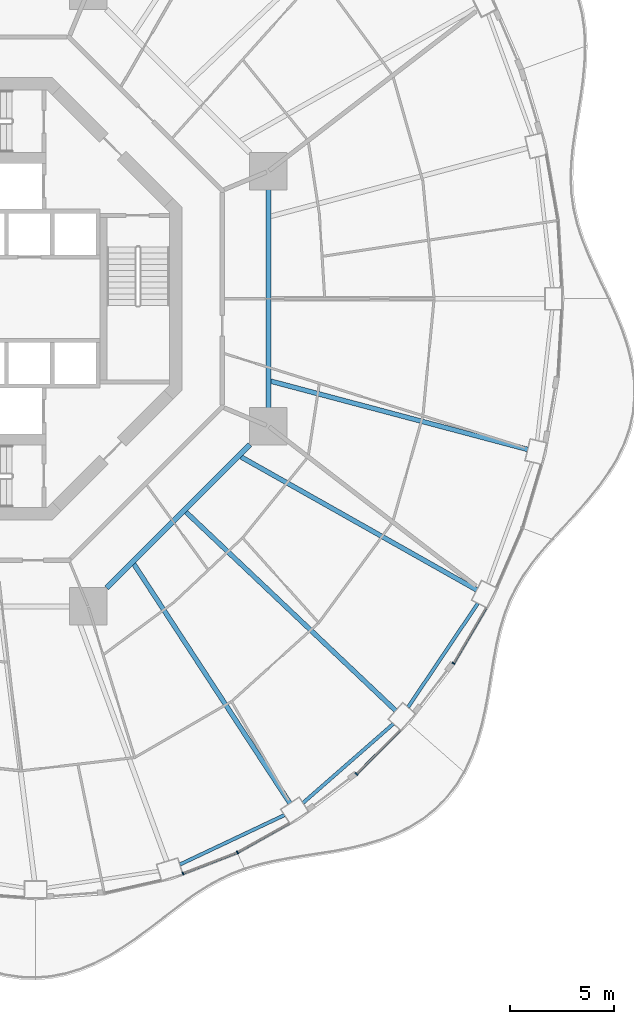
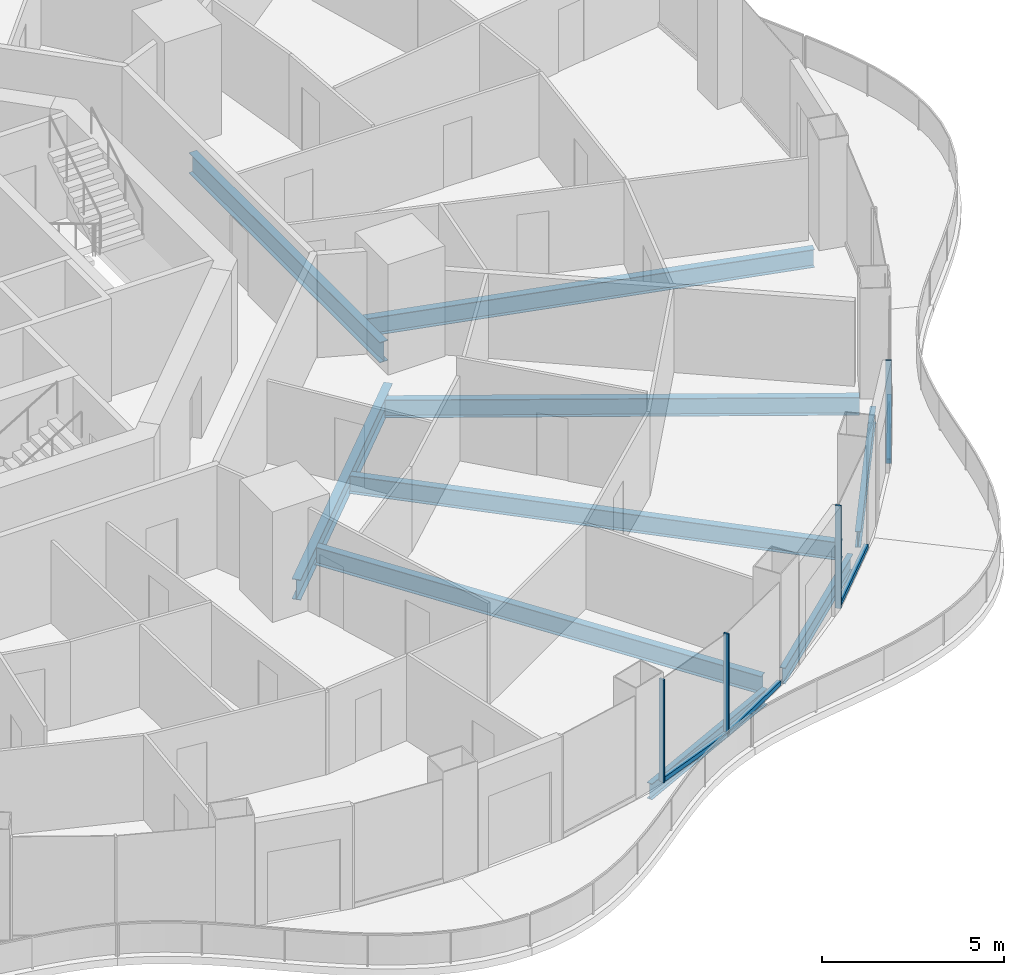
# One storey, part 4 of 19: 9 beams, 8 members, 4 elements without a shape of their own.
"""IFC4 building model written with IfcOpenShell, lengths in metres."""

from ifc_helpers import new_model, si_unit, direction, frame, origin, origin_2d, place, context, subcontext, project, spatial, rectangle, i_section, extrude, material, layer, layer_set, material_profile, profile_set, type_object, element, aggregate, save


model = new_model("IFC4")

# Units and contexts
model_context = context("Model", 3, precision=1e-05, world=origin(), true_north=direction((0.0, 1.0)))
body_context = subcontext(model_context, "Body", "Model", "MODEL_VIEW")
ifc_project = project(units=[si_unit("LENGTHUNIT", "METRE"), si_unit("AREAUNIT", "SQUARE_METRE"), si_unit("VOLUMEUNIT", "CUBIC_METRE"), si_unit("PLANEANGLEUNIT", "RADIAN"), si_unit("MASSUNIT", "GRAM", prefix="KILO")], contexts=[model_context])

# Site, building, storey
site_placement = place(None, origin())
site = spatial("IfcSite", under=ifc_project, at=site_placement, CompositionType="ELEMENT")
building_placement = place(site_placement, origin())
building = spatial("IfcBuilding", under=site, at=building_placement, Name="Nagisa Residences", CompositionType="ELEMENT")
storey_placement = place(building_placement, frame((0.0, 0.0, 177.0)))
storey = spatial("IfcBuildingStorey", under=building, at=storey_placement, Name="L44", CompositionType="ELEMENT", Elevation=177.0)

# Curtain wall, member
ifc_material_1 = material(Name="Concrete-coloured aluminium curtain wall system", Category="concrete")
ifc_layer = layer(ifc_material_1, 0.159912109375)
ifc_layer_set = layer_set([ifc_layer], Name="CW1 CURTAIN WALL")
curtain_wall_type = type_object("IfcCurtainWallType", Name="CW1 CURTAIN WALL", PredefinedType="NOTDEFINED", material=ifc_layer_set)
curtain_wall_1_placement = place(storey_placement, origin())
curtain_wall_1 = element("IfcCurtainWall", 1, at=curtain_wall_1_placement, inside=storey, type_object=curtain_wall_type, Name="cw:CW1:L44:38", PredefinedType="NOTDEFINED")
ifc_material_2 = material(Name="Concrete-coloured aluminium", Category="concrete")
ifc_material_profile_1 = material_profile(ifc_material_2, rectangle(XDim=0.159912109375, YDim=0.06005859375, at=origin_2d()), Name="CW1 MULLION 160x60")
ifc_profile_set_1 = profile_set([ifc_material_profile_1], Name="Concrete-coloured aluminium")
member_type_1 = type_object("IfcMemberType", Name="CW1 MULLION 160x60", PredefinedType="MULLION", material=ifc_profile_set_1)
member_1_placement = place(storey_placement, frame((10.6796875, -27.607421875, 0.0), z_axis=(0.0, 0.0, 1.0), x_axis=(-0.360327770268, 0.932825759707, 0.0)))
member_1 = element("IfcMember", 2, at=member_1_placement, type_object=member_type_1, Name="CW1 mullion", PredefinedType="MULLION", context=body_context, shape_type="SweptSolid", body=[
    extrude(rectangle(XDim=0.159912109375, YDim=0.06005859375, at=origin_2d()), origin(), (0.0, 0.0, 1.0), 3.43994140625),
])

curtain_wall_2_placement = place(storey_placement, origin())
curtain_wall_2 = element("IfcCurtainWall", 3, at=curtain_wall_2_placement, inside=storey, type_object=curtain_wall_type, Name="cw:CW1:L44:39", PredefinedType="NOTDEFINED")
member_2_placement = place(storey_placement, frame((13.297607421875, -26.592529296875, 0.0), z_axis=(0.0, 0.0, 1.0), x_axis=(-0.489376918501, 0.872072377523, 0.0)))
member_2 = element("IfcMember", 4, at=member_2_placement, type_object=member_type_1, Name="CW1 mullion", PredefinedType="MULLION", context=body_context, shape_type="SweptSolid", body=[
    extrude(rectangle(XDim=0.159912109375, YDim=0.06005859375, at=origin_2d()), origin(), (0.0, 0.0, 1.0), 3.43994140625),
])

curtain_wall_3_placement = place(storey_placement, origin())
curtain_wall_3 = element("IfcCurtainWall", 5, at=curtain_wall_3_placement, inside=storey, type_object=curtain_wall_type, Name="cw:CW1:L44:41", PredefinedType="NOTDEFINED")
member_3_placement = place(storey_placement, frame((19.011962890625, -22.830322265625, 0.0), z_axis=(0.0, 0.0, 1.0), x_axis=(-0.706376885714, 0.707835924016, 0.0)))
member_3 = element("IfcMember", 6, at=member_3_placement, type_object=member_type_1, Name="CW1 mullion", PredefinedType="MULLION", context=body_context, shape_type="SweptSolid", body=[
    extrude(rectangle(XDim=0.159912109375, YDim=0.06005859375, at=origin_2d()), origin(), (0.0, 0.0, 1.0), 3.43994140625),
])

curtain_wall_4_placement = place(storey_placement, origin())
curtain_wall_4 = element("IfcCurtainWall", 7, at=curtain_wall_4_placement, inside=storey, type_object=curtain_wall_type, Name="cw:CW1:L44:43", PredefinedType="NOTDEFINED")
member_4_placement = place(storey_placement, frame((23.677490234375, -17.51171875, 0.0), z_axis=(0.0, 0.0, 1.0), x_axis=(-0.862328898214, 0.506348567002, 0.0)))
member_4 = element("IfcMember", 8, at=member_4_placement, type_object=member_type_1, Name="CW1 mullion", PredefinedType="MULLION", context=body_context, shape_type="SweptSolid", body=[
    extrude(rectangle(XDim=0.159912109375, YDim=0.06005859375, at=origin_2d()), origin(), (0.0, 0.0, 1.0), 3.43994140625),
])

# Member
ifc_material_3 = material(Name="Concrete-coloured aluminium", Category="concrete")
ifc_material_profile_2 = material_profile(ifc_material_3, rectangle(XDim=0.1201171875, YDim=0.14990234375, at=origin_2d()), Name="CW1 TRANSOM 120x150")
ifc_profile_set_2 = profile_set([ifc_material_profile_2], Name="Concrete-coloured aluminium")
member_type_2 = type_object("IfcMemberType", Name="CW1 TRANSOM 120x150", PredefinedType="USERDEFINED", material=ifc_profile_set_2)
member_5_placement = place(storey_placement, frame((10.65185546875, -27.618408203125, 0.074951171875), z_axis=(0.932795487898, 0.360406128911, 0.0), x_axis=(-0.360406128911, 0.932795487898, 0.0)))
member_5 = element("IfcMember", 9, at=member_5_placement, type_object=member_type_2, Name="CW1 transom", ObjectType="TRANSOM", PredefinedType="USERDEFINED", context=body_context, shape_type="SweptSolid", body=[
    extrude(rectangle(XDim=0.1201171875, YDim=0.14990234375, at=origin_2d()), origin(), (0.0, 0.0, 1.0), 2.8193359375),
])

aggregate(curtain_wall_1, [member_1, member_5])

member_6_placement = place(storey_placement, frame((13.271484375, -26.607177734375, 0.074951171875), z_axis=(0.872078262455, 0.489366431371, 0.0), x_axis=(-0.489366431371, 0.872078262455, 0.0)))
member_6 = element("IfcMember", 10, at=member_6_placement, type_object=member_type_2, Name="CW1 transom", ObjectType="TRANSOM", PredefinedType="USERDEFINED", context=body_context, shape_type="SweptSolid", body=[
    extrude(rectangle(XDim=0.1201171875, YDim=0.14990234375, at=origin_2d()), origin(), (0.0, 0.0, 1.0), 2.863525390625),
])

aggregate(curtain_wall_2, [member_2, member_6])

member_7_placement = place(storey_placement, frame((18.99072265625, -22.8515625, 0.074951171875), z_axis=(0.707803821372, 0.706409053206, 0.0), x_axis=(-0.706409053206, 0.707803821372, 0.0)))
member_7 = element("IfcMember", 11, at=member_7_placement, type_object=member_type_2, Name="CW1 transom", ObjectType="TRANSOM", PredefinedType="USERDEFINED", context=body_context, shape_type="SweptSolid", body=[
    extrude(rectangle(XDim=0.1201171875, YDim=0.14990234375, at=origin_2d()), origin(), (0.0, 0.0, 1.0), 2.9755859375),
])

aggregate(curtain_wall_3, [member_3, member_7])

member_8_placement = place(storey_placement, frame((23.662353515625, -17.53759765625, 0.074951171875), z_axis=(0.506367803691, 0.862317602386, 0.0), x_axis=(-0.862317602386, 0.506367803691, 0.0)))
member_8 = element("IfcMember", 12, at=member_8_placement, type_object=member_type_2, Name="CW1 transom", ObjectType="TRANSOM", PredefinedType="USERDEFINED", context=body_context, shape_type="SweptSolid", body=[
    extrude(rectangle(XDim=0.1201171875, YDim=0.14990234375, at=origin_2d()), origin(), (0.0, 0.0, 1.0), 3.092041015625),
])

aggregate(curtain_wall_4, [member_4, member_8])

# Beams
ifc_material_4 = material(Name="Steel ASTM A572 Gr 50", Category="steel")
ifc_material_profile_3 = material_profile(ifc_material_4, i_section(OverallWidth=0.25390625, OverallDepth=0.68408203125, WebThickness=0.012451171875, FlangeThickness=0.018798828125, at=origin_2d()), Name="W690x140")
ifc_profile_set_3 = profile_set([ifc_material_profile_3], Name="Steel ASTM A572 Gr 50")
beam_type_1 = type_object("IfcBeamType", Name="Inner ring beam W690x140", PredefinedType="BEAM", material=ifc_profile_set_3)
beam_1_placement = place(storey_placement, frame((7.0087890625, -13.896240234375, -0.60205078125), z_axis=(0.707106781187, 0.707106781187, 0.0), x_axis=(-0.707106781187, 0.707106781187, 0.0)))
element("IfcBeam", 13, at=beam_1_placement, inside=storey, type_object=beam_type_1, Name="beam:L44:ib7", PredefinedType="BEAM", context=body_context, shape_type="SweptSolid", body=[
    extrude(i_section(OverallWidth=0.25390625, OverallDepth=0.68408203125, WebThickness=0.012451171875, FlangeThickness=0.018798828125, at=origin_2d()), origin(), (0.0, 0.0, 1.0), 9.740234375),
])
beam_2_placement = place(storey_placement, frame((14.781982421875, -5.242919921875, -0.60205078125), z_axis=(0.0, 1.0, 0.0), x_axis=(-1.0, 0.0, 0.0)))
element("IfcBeam", 14, at=beam_2_placement, inside=storey, type_object=beam_type_1, Name="beam:L44:ib8", PredefinedType="BEAM", context=body_context, shape_type="SweptSolid", body=[
    extrude(i_section(OverallWidth=0.25390625, OverallDepth=0.68408203125, WebThickness=0.012451171875, FlangeThickness=0.018798828125, at=origin_2d()), origin(), (0.0, 0.0, 1.0), 10.48583984375),
])
ifc_material_5 = material(Name="Steel ASTM A572 Gr 50", Category="steel")
ifc_material_profile_4 = material_profile(ifc_material_5, i_section(OverallWidth=0.166015625, OverallDepth=0.534912109375, WebThickness=0.01025390625, FlangeThickness=0.0166015625, at=origin_2d()), Name="W530x85")
ifc_profile_set_4 = profile_set([ifc_material_profile_4], Name="Steel ASTM A572 Gr 50")
beam_type_2 = type_object("IfcBeamType", Name="Perimeter ring beam W530x85", PredefinedType="BEAM", material=ifc_profile_set_4)
beam_3_placement = place(storey_placement, frame((10.522705078125, -27.17919921875, -0.527587890625), z_axis=(0.904157325884, 0.427199637232, 0.0), x_axis=(-0.427199637232, 0.904157325884, 0.0)))
element("IfcBeam", 15, at=beam_3_placement, inside=storey, type_object=beam_type_2, Name="beam:L44:pb20", PredefinedType="BEAM", context=body_context, shape_type="SweptSolid", body=[
    extrude(i_section(OverallWidth=0.166015625, OverallDepth=0.534912109375, WebThickness=0.01025390625, FlangeThickness=0.0166015625, at=origin_2d()), origin(), (0.0, 0.0, 1.0), 5.56396484375),
])
beam_4_placement = place(storey_placement, frame((16.440185546875, -24.220947265625, -0.527587890625), z_axis=(0.752461486776, 0.658636250838, 0.0), x_axis=(-0.658636250838, 0.752461486776, 0.0)))
element("IfcBeam", 16, at=beam_4_placement, inside=storey, type_object=beam_type_2, Name="beam:L44:pb21", PredefinedType="BEAM", context=body_context, shape_type="SweptSolid", body=[
    extrude(i_section(OverallWidth=0.166015625, OverallDepth=0.534912109375, WebThickness=0.01025390625, FlangeThickness=0.0166015625, at=origin_2d()), origin(), (0.0, 0.0, 1.0), 5.776611328125),
])
beam_5_placement = place(storey_placement, frame((21.487548828125, -19.62060546875, -0.527587890625), z_axis=(0.558152301307, 0.829738518177, 0.0), x_axis=(-0.829738518177, 0.558152301307, 0.0)))
element("IfcBeam", 17, at=beam_5_placement, inside=storey, type_object=beam_type_2, Name="beam:L44:pb22", PredefinedType="BEAM", context=body_context, shape_type="SweptSolid", body=[
    extrude(i_section(OverallWidth=0.166015625, OverallDepth=0.534912109375, WebThickness=0.01025390625, FlangeThickness=0.0166015625, at=origin_2d()), origin(), (0.0, 0.0, 1.0), 6.013916015625),
])
ifc_material_6 = material(Name="Steel ASTM A572 Gr 50", Category="steel")
ifc_material_profile_5 = material_profile(ifc_material_6, i_section(OverallWidth=0.22802734375, OverallDepth=0.60302734375, WebThickness=0.010498046875, FlangeThickness=0.014892578125, at=origin_2d()), Name="W610x101")
ifc_profile_set_5 = profile_set([ifc_material_profile_5], Name="Steel ASTM A572 Gr 50")
beam_type_3 = type_object("IfcBeamType", Name="Radial beam W610x101", PredefinedType="BEAM", material=ifc_profile_set_5)
beam_6_placement = place(storey_placement, frame((15.816162109375, -24.234375, -0.5615234375), z_axis=(-0.546541244511, 0.837432187135, 0.0), x_axis=(-0.837432187135, -0.546541244511, 0.0)))
element("IfcBeam", 18, at=beam_6_placement, inside=storey, type_object=beam_type_3, Name="beam:L44:rb21", PredefinedType="BEAM", context=body_context, shape_type="SweptSolid", body=[
    extrude(i_section(OverallWidth=0.22802734375, OverallDepth=0.60302734375, WebThickness=0.010498046875, FlangeThickness=0.014892578125, at=origin_2d()), origin(), (0.0, 0.0, 1.0), 13.72412109375),
])
beam_7_placement = place(storey_placement, frame((20.89501953125, -19.785400390625, -0.5615234375), z_axis=(-0.726119962477, 0.687568033064, 0.0), x_axis=(-0.687568033064, -0.726119962477, 0.0)))
element("IfcBeam", 19, at=beam_7_placement, inside=storey, type_object=beam_type_3, Name="beam:L44:rb22", PredefinedType="BEAM", context=body_context, shape_type="SweptSolid", body=[
    extrude(i_section(OverallWidth=0.22802734375, OverallDepth=0.60302734375, WebThickness=0.010498046875, FlangeThickness=0.014892578125, at=origin_2d()), origin(), (0.0, 0.0, 1.0), 13.88134765625),
])
beam_8_placement = place(storey_placement, frame((24.789306640625, -13.98828125, -0.5615234375), z_axis=(-0.870904520395, 0.491452252366, 0.0), x_axis=(-0.491452252366, -0.870904520395, 0.0)))
element("IfcBeam", 20, at=beam_8_placement, inside=storey, type_object=beam_type_3, Name="beam:L44:rb23", PredefinedType="BEAM", context=body_context, shape_type="SweptSolid", body=[
    extrude(i_section(OverallWidth=0.22802734375, OverallDepth=0.60302734375, WebThickness=0.010498046875, FlangeThickness=0.014892578125, at=origin_2d()), origin(), (0.0, 0.0, 1.0), 13.007080078125),
])
beam_9_placement = place(storey_placement, frame((27.23583984375, -7.239990234375, -0.5615234375), z_axis=(-0.966436061719, 0.256907256826, 0.0), x_axis=(-0.256907256826, -0.966436061719, 0.0)))
element("IfcBeam", 21, at=beam_9_placement, inside=storey, type_object=beam_type_3, Name="beam:L44:rb24", PredefinedType="BEAM", context=body_context, shape_type="SweptSolid", body=[
    extrude(i_section(OverallWidth=0.22802734375, OverallDepth=0.60302734375, WebThickness=0.010498046875, FlangeThickness=0.014892578125, at=origin_2d()), origin(), (0.0, 0.0, 1.0), 12.77490234375),
])

save(model, "model.ifc")
